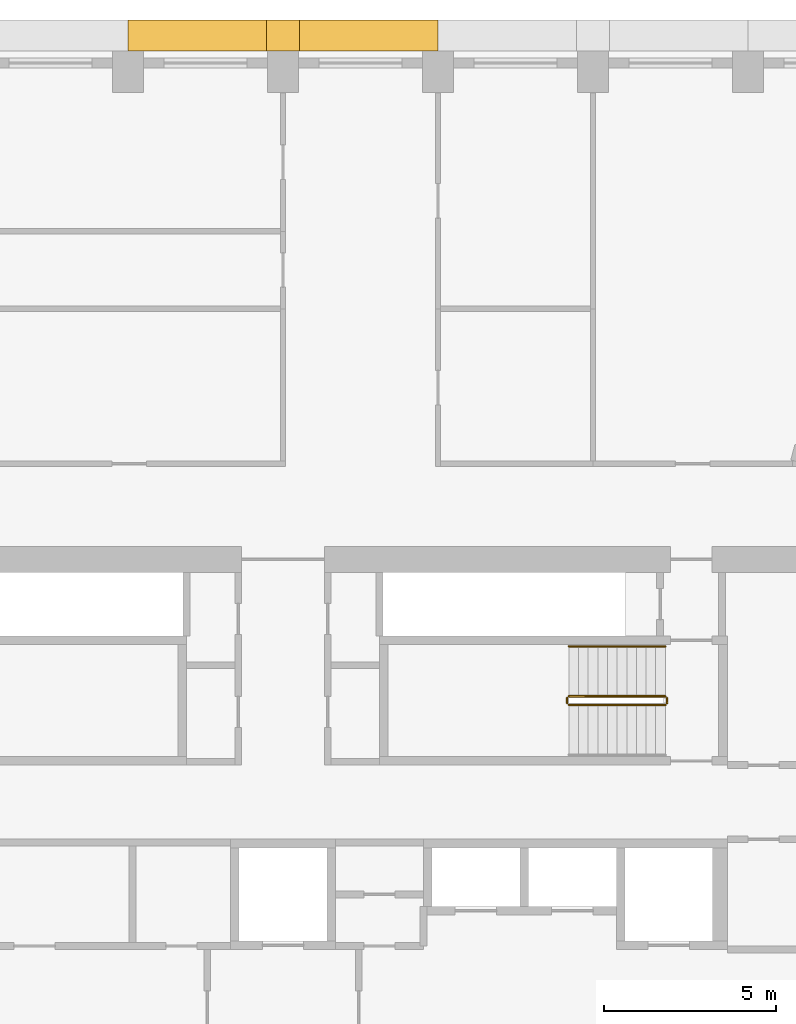
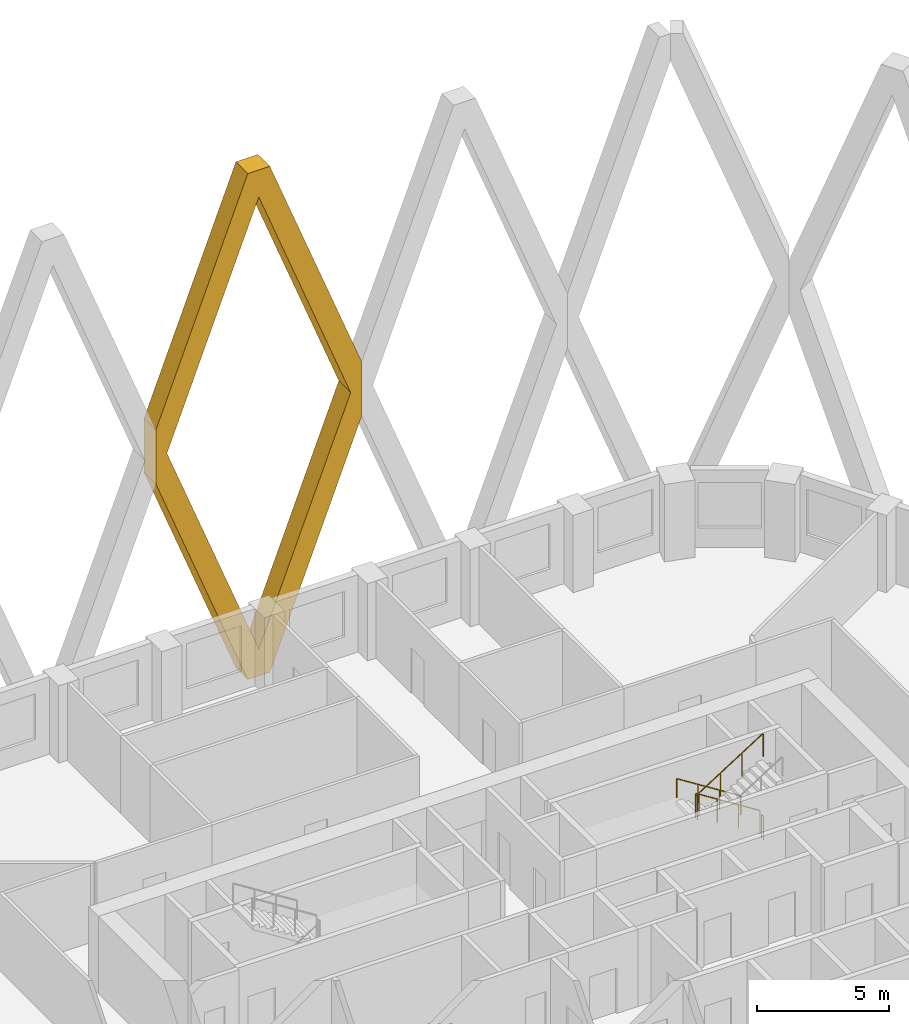
# One storey, part 16 of 17: 5 railings, 1 covering.
"""IFC4 building model written with IfcOpenShell, lengths in metres."""

from ifc_helpers import new_model, si_unit, direction, frame, origin, origin_2d, place, context, subcontext, project, spatial, polyline, circle, outline, extrude, material, type_object, element, save


model = new_model("IFC4")

# Units and contexts
model_context = context("Model", 3, precision=1e-05, world=origin(), true_north=direction((0.0, 1.0)))
body_context = subcontext(model_context, "Body", "Model", "MODEL_VIEW")
ifc_project = project(units=[si_unit("LENGTHUNIT", "METRE"), si_unit("AREAUNIT", "SQUARE_METRE"), si_unit("VOLUMEUNIT", "CUBIC_METRE"), si_unit("PLANEANGLEUNIT", "RADIAN"), si_unit("MASSUNIT", "GRAM", prefix="KILO")], contexts=[model_context])

# Site, building, storey
site_placement = place(None, origin())
site = spatial("IfcSite", under=ifc_project, at=site_placement, CompositionType="ELEMENT")
building_placement = place(site_placement, origin())
building = spatial("IfcBuilding", under=site, at=building_placement, Name="Dhurran Vertical Campus", CompositionType="ELEMENT")
storey_placement = place(building_placement, frame((0.0, 0.0, 156.0)))
storey = spatial("IfcBuildingStorey", under=building, at=storey_placement, Name="L38", CompositionType="ELEMENT", Elevation=156.0)

# Covering
ifc_material_1 = material(Name="Precast concrete C50/60", Category="concrete")
covering_type = type_object("IfcCoveringType", Name="Folded precast fin lattice diamond", PredefinedType="USERDEFINED", material=ifc_material_1)
covering_placement = place(storey_placement, frame((4.5, 27.8828125, 0.0), z_axis=(0.0, 1.0, 0.0), x_axis=(-1.0, 0.0, 0.0)))
element("IfcCovering", 1, at=covering_placement, inside=storey, type_object=covering_type, Name="FN1 L38.017", ObjectType="FIN", PredefinedType="USERDEFINED", context=body_context, shape_type="SweptSolid", body=[
    extrude(outline(polyline([(9.0, 12.95361328125), (9.0, 10.4462890625), (4.982177734375, 0.0), (4.017822265625, 0.0), (0.0, 10.4462890625), (0.0, 12.95361328125), (4.017822265625, 23.39990234375), (4.982177734375, 23.39990234375), (9.0, 12.95361328125)]), holes=[polyline([(8.517822265625, 11.699951171875), (4.5, 22.146484375), (0.482177734375, 11.699951171875), (4.5, 1.253662109375), (8.517822265625, 11.699951171875)])]), origin(), (0.0, 0.0, 1.0), 0.89990234375),
])

# Railings
ifc_material_2 = material(Name="Stainless steel balustrade", Category="steel")
railing_type_1 = type_object("IfcRailingType", Name="co-RL-GUARD-1100", PredefinedType="GUARDRAIL", material=ifc_material_2)
railing_1_placement = place(storey_placement, frame((11.10009765625, 9.14990234375, 0.17724609375)))
element("IfcRailing", 2, at=railing_1_placement, inside=storey, type_object=railing_type_1, Name="L38 ST2 stair guard 1", PredefinedType="GUARDRAIL", context=body_context, shape_type="SweptSolid", body=[
    extrude(circle(Radius=0.02392578125, at=origin_2d()), frame((0.0, 0.0, 1.076171875), z_axis=(-0.844908973607, 0.0, 0.534910110503), x_axis=(0.0, -1.0, 0.0)), (0.0, 0.0, 1.0), 3.31396484375),
    extrude(circle(Radius=0.02099609375, at=origin_2d()), origin(), (0.0, 0.0, 1.0), 1.052001953125),
    extrude(circle(Radius=0.02099609375, at=origin_2d()), frame((-0.933349609375, 0.0, 0.5908203125)), (0.0, 0.0, 1.0), 1.052001953125),
    extrude(circle(Radius=0.02099609375, at=origin_2d()), frame((-1.86669921875, 0.0, 1.181884765625)), (0.0, 0.0, 1.0), 1.052001953125),
    extrude(circle(Radius=0.02099609375, at=origin_2d()), frame((-2.800048828125, 0.0, 1.772705078125)), (0.0, 0.0, 1.0), 1.052001953125),
])
railing_2_placement = place(storey_placement, frame((8.25, 9.10009765625, 1.949951171875)))
element("IfcRailing", 3, at=railing_2_placement, inside=storey, type_object=railing_type_1, Name="L38 ST2 stair guard 2", PredefinedType="GUARDRAIL", context=body_context, shape_type="SweptSolid", body=[
    extrude(circle(Radius=0.02392578125, at=origin_2d()), frame((0.0, 0.0, 1.076171875), z_axis=(0.0, -1.0, 0.0), x_axis=(1.0, 0.0, 0.0)), (0.0, 0.0, 1.0), 0.150146484375),
    extrude(circle(Radius=0.02099609375, at=origin_2d()), origin(), (0.0, 0.0, 1.0), 1.052001953125),
    extrude(circle(Radius=0.02099609375, at=origin_2d()), frame((0.0, -0.150146484375, 0.0)), (0.0, 0.0, 1.0), 1.052001953125),
])
railing_3_placement = place(storey_placement, frame((8.300048828125, 8.89990234375, 2.127197265625)))
element("IfcRailing", 4, at=railing_3_placement, inside=storey, type_object=railing_type_1, Name="L38 ST2 stair guard 3", PredefinedType="GUARDRAIL", context=body_context, shape_type="SweptSolid", body=[
    extrude(circle(Radius=0.02392578125, at=origin_2d()), frame((0.0, 0.0, 1.076171875), z_axis=(0.844908973607, 0.0, 0.534910110503), x_axis=(0.0, 1.0, 0.0)), (0.0, 0.0, 1.0), 3.31396484375),
    extrude(circle(Radius=0.02099609375, at=origin_2d()), origin(), (0.0, 0.0, 1.0), 1.052001953125),
    extrude(circle(Radius=0.02099609375, at=origin_2d()), frame((0.933349609375, 0.0, 0.5908203125)), (0.0, 0.0, 1.0), 1.052001953125),
    extrude(circle(Radius=0.02099609375, at=origin_2d()), frame((1.86669921875, 0.0, 1.181884765625)), (0.0, 0.0, 1.0), 1.052001953125),
    extrude(circle(Radius=0.02099609375, at=origin_2d()), frame((2.800048828125, 0.0, 1.772705078125)), (0.0, 0.0, 1.0), 1.052001953125),
])
railing_4_placement = place(storey_placement, frame((11.14990234375, 9.10009765625, 0.0)))
element("IfcRailing", 5, at=railing_4_placement, inside=storey, type_object=railing_type_1, Name="L38 ST2 stair guard 4", PredefinedType="GUARDRAIL", context=body_context, shape_type="SweptSolid", body=[
    extrude(circle(Radius=0.02392578125, at=origin_2d()), frame((0.0, 0.0, 1.076171875), z_axis=(0.0, -1.0, 0.0), x_axis=(1.0, 0.0, 0.0)), (0.0, 0.0, 1.0), 0.150146484375),
    extrude(circle(Radius=0.02099609375, at=origin_2d()), origin(), (0.0, 0.0, 1.0), 1.052001953125),
    extrude(circle(Radius=0.02099609375, at=origin_2d()), frame((0.0, -0.150146484375, 0.0)), (0.0, 0.0, 1.0), 1.052001953125),
])
ifc_material_3 = material(Name="Stainless steel handrail", Category="steel")
railing_type_2 = type_object("IfcRailingType", Name="co-RL-HANDRAIL-900", PredefinedType="HANDRAIL", material=ifc_material_3)
railing_5_placement = place(storey_placement, frame((11.10009765625, 10.60009765625, 0.17724609375)))
element("IfcRailing", 6, at=railing_5_placement, inside=storey, type_object=railing_type_2, Name="L38 ST2 stair handrail 1", PredefinedType="HANDRAIL", context=body_context, shape_type="SweptSolid", body=[
    extrude(circle(Radius=0.02392578125, at=origin_2d()), frame((0.0, 0.0, 0.8759765625), z_axis=(-0.844908973607, 0.0, 0.534910110503), x_axis=(0.0, -1.0, 0.0)), (0.0, 0.0, 1.0), 3.31396484375),
    extrude(circle(Radius=0.02099609375, at=origin_2d()), origin(), (0.0, 0.0, 1.0), 0.851806640625),
    extrude(circle(Radius=0.02099609375, at=origin_2d()), frame((-0.933349609375, 0.0, 0.5908203125)), (0.0, 0.0, 1.0), 0.851806640625),
    extrude(circle(Radius=0.02099609375, at=origin_2d()), frame((-1.86669921875, 0.0, 1.181884765625)), (0.0, 0.0, 1.0), 0.851806640625),
    extrude(circle(Radius=0.02099609375, at=origin_2d()), frame((-2.800048828125, 0.0, 1.772705078125)), (0.0, 0.0, 1.0), 0.851806640625),
])

save(model, "model.ifc")
